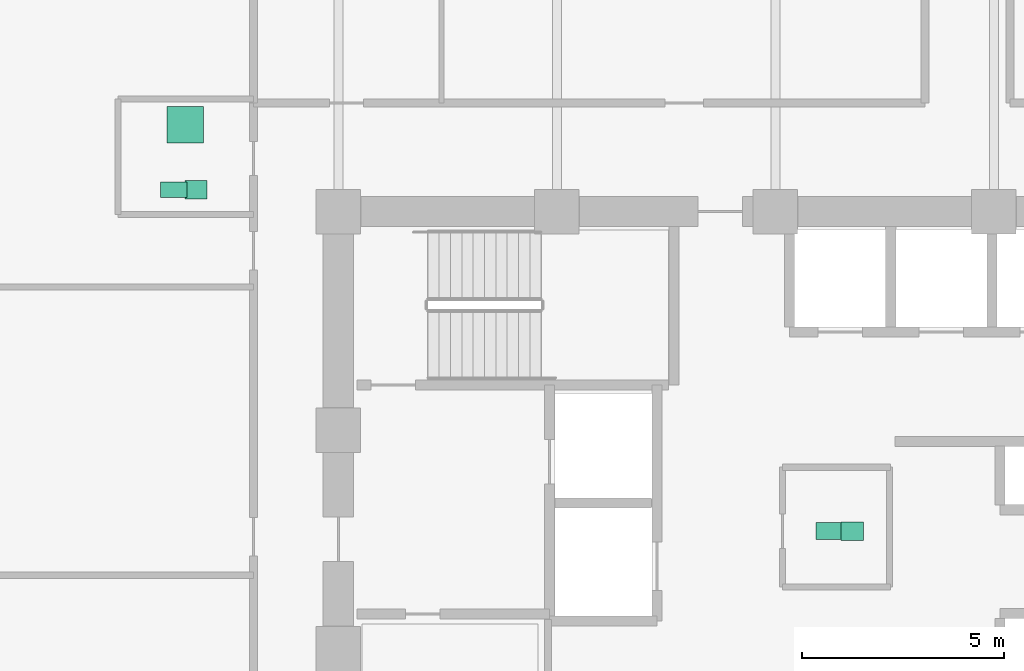
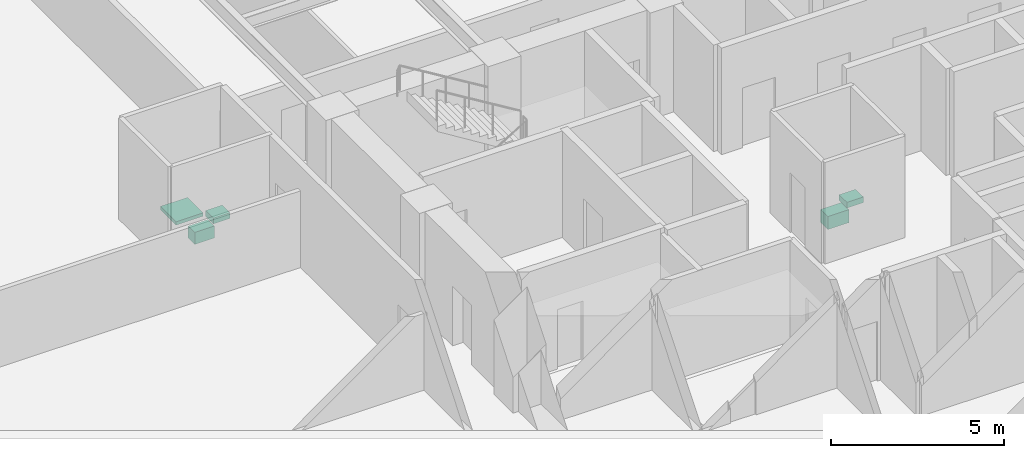
# One storey, part 25 of 25: 5 sanitary terminals.
"""IFC4 building model written with IfcOpenShell, lengths in metres."""

from ifc_helpers import new_model, si_unit, direction, frame, origin, origin_2d, place, context, subcontext, project, spatial, rectangle, extrude, material, type_object, element, save


model = new_model("IFC4")

# Units and contexts
model_context = context("Model", 3, precision=1e-05, world=origin(), true_north=direction((0.0, 1.0)))
body_context = subcontext(model_context, "Body", "Model", "MODEL_VIEW")
ifc_project = project(units=[si_unit("LENGTHUNIT", "METRE"), si_unit("AREAUNIT", "SQUARE_METRE"), si_unit("VOLUMEUNIT", "CUBIC_METRE"), si_unit("PLANEANGLEUNIT", "RADIAN"), si_unit("MASSUNIT", "GRAM", prefix="KILO")], contexts=[model_context])

# Site, building, storey
site_placement = place(None, origin())
site = spatial("IfcSite", under=ifc_project, at=site_placement, CompositionType="ELEMENT")
building_placement = place(site_placement, origin())
building = spatial("IfcBuilding", under=site, at=building_placement, Name="Surkhivell Harbour Commons", CompositionType="ELEMENT")
storey_placement = place(building_placement, frame((0.0, 0.0, 94.5)))
storey = spatial("IfcBuildingStorey", under=building, at=storey_placement, Name="L24", CompositionType="ELEMENT", Elevation=94.5)

# Sanitary terminals
ifc_material_1 = material(Name="Vitreous china washbasin", Category="other")
sanitary_terminal_type_1 = type_object("IfcSanitaryTerminalType", Name="SAN-BSN", PredefinedType="WASHHANDBASIN", material=ifc_material_1)
for number, where, z_axis, x_axis, name in (
    (1, (1.89990234375, 2.89990234375, 0.72021484375), (0.0, 0.0, 1.0), (1.0, 0.0, 0.0), "L24 Core Accessible WC Washbasin"),
    (2, (-14.320068359375, 11.340087890625, 0.72021484375), (0.0, 0.0, 1.0), (1.0, 0.0, 0.0), "L24 West Communal Bathroom WC Washbasin"),
):
    element("IfcSanitaryTerminal", number, at=place(storey_placement, frame(where, z_axis=z_axis, x_axis=x_axis)), inside=storey, type_object=sanitary_terminal_type_1, Name=name, PredefinedType="WASHHANDBASIN", context=body_context, shape_type="SweptSolid", body=[
        extrude(rectangle(XDim=0.550048828125, YDim=0.449951171875, at=origin_2d()), origin(), (0.0, 0.0, 1.0), 0.199951171875),
    ])
ifc_material_2 = material(Name="Glazed porcelain shower tray", Category="other")
sanitary_terminal_type_2 = type_object("IfcSanitaryTerminalType", Name="SAN-SHW", PredefinedType="SHOWER", material=ifc_material_2)
sanitary_terminal_1_placement = place(storey_placement, frame((-14.590087890625, 12.93994140625, 0.0), z_axis=(0.0, 0.0, 1.0), x_axis=(1.0, 0.0, 0.0)))
element("IfcSanitaryTerminal", 3, at=sanitary_terminal_1_placement, inside=storey, type_object=sanitary_terminal_type_2, Name="L24 West Communal Shower Tray", PredefinedType="SHOWER", context=body_context, shape_type="SweptSolid", body=[
    extrude(rectangle(XDim=0.89990234375, YDim=0.89990234375, at=origin_2d()), origin(), (0.0, 0.0, 1.0), 0.1201171875),
])
ifc_material_3 = material(Name="Vitreous china sanitaryware", Category="other")
sanitary_terminal_type_3 = type_object("IfcSanitaryTerminalType", Name="SAN-WC-ACC", PredefinedType="TOILETPAN", material=ifc_material_3)
sanitary_terminal_2_placement = place(storey_placement, frame((1.35009765625, 2.89990234375, 0.169921875), z_axis=(0.0, 0.0, 1.0), x_axis=(1.0, 0.0, 0.0)))
element("IfcSanitaryTerminal", 4, at=sanitary_terminal_2_placement, inside=storey, type_object=sanitary_terminal_type_3, Name="L24 Core Accessible WC", PredefinedType="TOILETPAN", context=body_context, shape_type="SweptSolid", body=[
    extrude(rectangle(XDim=0.699951171875, YDim=0.419921875, at=origin_2d()), origin(), (0.0, 0.0, 1.0), 0.4599609375),
])
sanitary_terminal_type_4 = type_object("IfcSanitaryTerminalType", Name="SAN-WC-STD", PredefinedType="TOILETPAN", material=ifc_material_3)
sanitary_terminal_3_placement = place(storey_placement, frame((-14.8701171875, 11.340087890625, 0.18994140625), z_axis=(0.0, 0.0, 1.0), x_axis=(1.0, 0.0, 0.0)))
element("IfcSanitaryTerminal", 5, at=sanitary_terminal_3_placement, inside=storey, type_object=sanitary_terminal_type_4, Name="L24 West Communal Bathroom WC", PredefinedType="TOILETPAN", context=body_context, shape_type="SweptSolid", body=[
    extrude(rectangle(XDim=0.64990234375, YDim=0.3798828125, at=origin_2d()), origin(), (0.0, 0.0, 1.0), 0.419921875),
])

save(model, "model.ifc")
